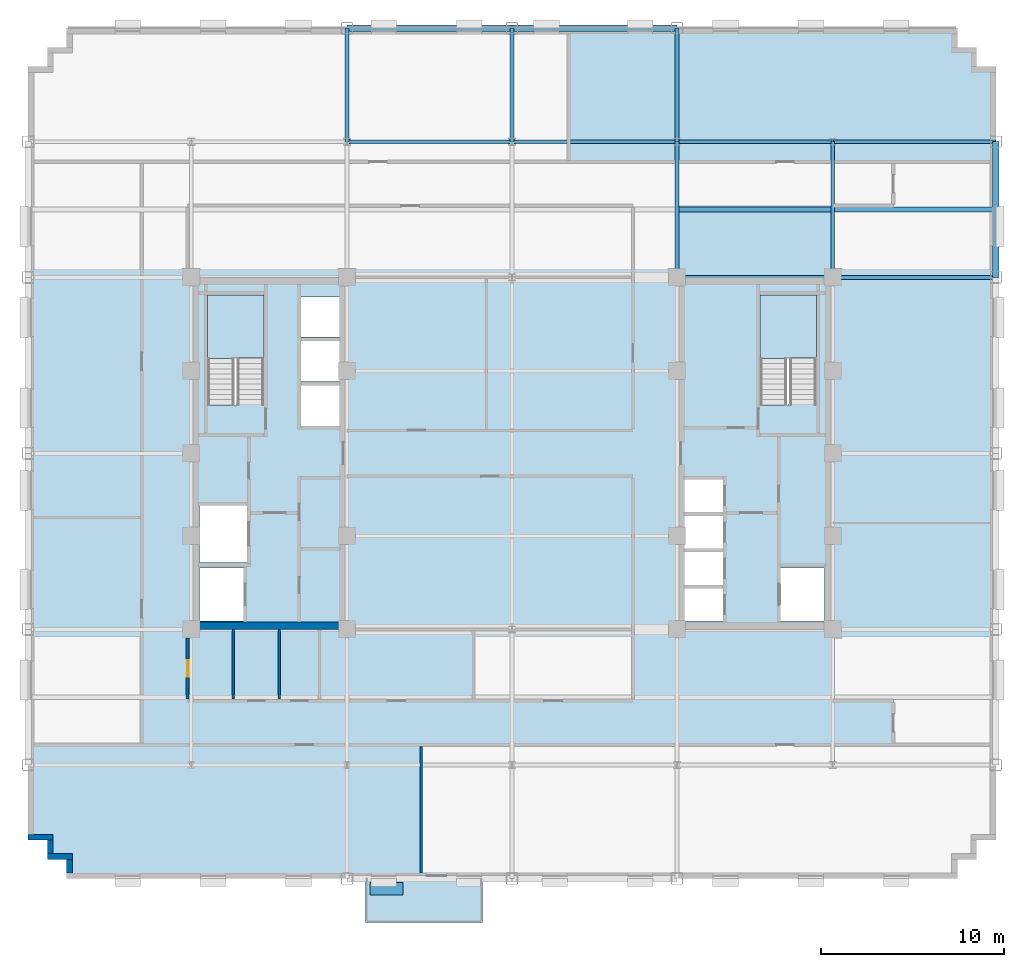
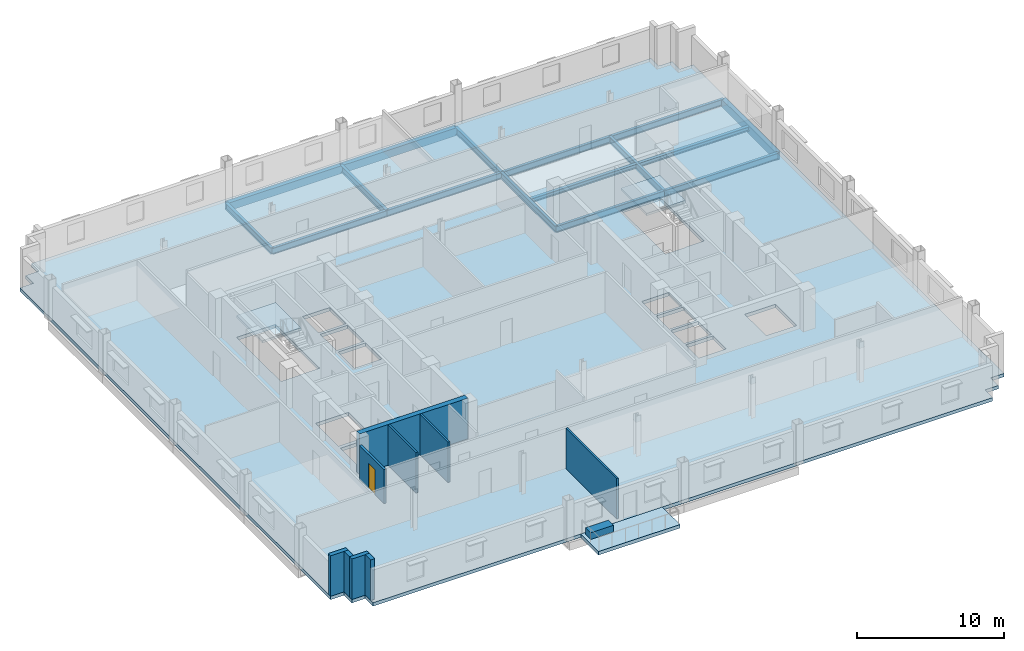
# One storey, part 5 of 14: 16 beams, 9 walls, 4 slabs, 1 door, 1 plate, 1 opening, 2 elements without a shape of their own.
"""IFC4 building model written with IfcOpenShell, lengths in metres."""

from ifc_helpers import new_model, si_unit, direction, frame, frame_2d, origin, origin_2d, place, context, subcontext, project, spatial, polyline, rectangle, i_section, outline, extrude, source, transform, mapped, material, layer, layer_set, material_profile, profile_set, type_object, type_shapes, element, fill, aggregate, save


model = new_model("IFC4")

# Units and contexts
model_context = context("Model", 3, precision=1e-05, world=origin(), true_north=direction((0.0, 1.0)))
body_context = subcontext(model_context, "Body", "Model", "MODEL_VIEW")
ifc_project = project(units=[si_unit("LENGTHUNIT", "METRE"), si_unit("AREAUNIT", "SQUARE_METRE"), si_unit("VOLUMEUNIT", "CUBIC_METRE"), si_unit("PLANEANGLEUNIT", "RADIAN"), si_unit("MASSUNIT", "GRAM", prefix="KILO")], contexts=[model_context])

# Site, building, storey
site_placement = place(None, origin())
site = spatial("IfcSite", under=ifc_project, at=site_placement, CompositionType="ELEMENT")
building_placement = place(site_placement, origin())
building = spatial("IfcBuilding", under=site, at=building_placement, Name="Nuvemarco Arch Tower", CompositionType="ELEMENT")
storey_placement = place(building_placement, frame((0.0, 0.0, 131.14990234375)))
storey = spatial("IfcBuildingStorey", under=building, at=storey_placement, Name="L34", CompositionType="ELEMENT", Elevation=131.14990234375)

# Beams
ifc_material_1 = material(Name="Steel S355", Category="steel")
ifc_material_profile_1 = material_profile(ifc_material_1, i_section(OverallWidth=0.2109375, OverallDepth=0.5390625, WebThickness=0.01171875, FlangeThickness=0.018798828125, FilletRadius=0.01611328125, at=origin_2d()), Name="W530x109")
ifc_profile_set_1 = profile_set([ifc_material_profile_1], Name="Steel S355")
beam_type_1 = type_object("IfcBeamType", Name="BM-GIRD-530", PredefinedType="BEAM", material=ifc_profile_set_1)
for number, where, z_axis, x_axis, name in (
    (1, (-9.0, 17.0, -0.54931640625), (0.0, 1.0, 0.0), (-1.0, 0.0, 0.0), "L34 structural beam BGNS_L34_0_-9.0_+17.0"),
    (2, (0.0, 17.0, -0.54931640625), (0.0, 1.0, 0.0), (-1.0, 0.0, 0.0), "L34 structural beam BGNS_L34_0_+0.0_+17.0"),
):
    element("IfcBeam", number, at=place(storey_placement, frame(where, z_axis=z_axis, x_axis=x_axis)), inside=storey, type_object=beam_type_1, Name=name, PredefinedType="BEAM", context=body_context, shape_type="SweptSolid", body=[
        extrude(i_section(OverallWidth=0.2109375, OverallDepth=0.5390625, WebThickness=0.01171875, FlangeThickness=0.018798828125, FilletRadius=0.01611328125, at=origin_2d()), origin(), (0.0, 0.0, 1.0), 6.199951171875),
    ])
beam_1_placement = place(storey_placement, frame((9.0, 9.60009765625, -0.54931640625), z_axis=(0.0, 1.0, 0.0), x_axis=(-1.0, 0.0, 0.0)))
element("IfcBeam", 3, at=beam_1_placement, inside=storey, type_object=beam_type_1, Name="L34 structural beam BGNS_L34_0_+9.0_+9.6", PredefinedType="BEAM", context=body_context, shape_type="SweptSolid", body=[
    extrude(i_section(OverallWidth=0.2109375, OverallDepth=0.5390625, WebThickness=0.01171875, FlangeThickness=0.018798828125, FilletRadius=0.01611328125, at=origin_2d()), origin(), (0.0, 0.0, 1.0), 7.39990234375),
])
beam_2_placement = place(storey_placement, frame((9.0, 17.0, -0.54931640625), z_axis=(0.0, 1.0, 0.0), x_axis=(-1.0, 0.0, 0.0)))
element("IfcBeam", 4, at=beam_2_placement, inside=storey, type_object=beam_type_1, Name="L34 structural beam BGNS_L34_0_+9.0_+17.0", PredefinedType="BEAM", context=body_context, shape_type="SweptSolid", body=[
    extrude(i_section(OverallWidth=0.2109375, OverallDepth=0.5390625, WebThickness=0.01171875, FlangeThickness=0.018798828125, FilletRadius=0.01611328125, at=origin_2d()), origin(), (0.0, 0.0, 1.0), 6.199951171875),
])
beam_3_placement = place(storey_placement, frame((17.5, 9.60009765625, -0.54931640625), z_axis=(0.0, 1.0, 0.0), x_axis=(-1.0, 0.0, 0.0)))
element("IfcBeam", 5, at=beam_3_placement, inside=storey, type_object=beam_type_1, Name="L34 structural beam BGNS_L34_0_+17.5_+9.6", PredefinedType="BEAM", context=body_context, shape_type="SweptSolid", body=[
    extrude(i_section(OverallWidth=0.2109375, OverallDepth=0.5390625, WebThickness=0.01171875, FlangeThickness=0.018798828125, FilletRadius=0.01611328125, at=origin_2d()), origin(), (0.0, 0.0, 1.0), 7.39990234375),
])
beam_4_placement = place(storey_placement, frame((9.0, 9.60009765625, -0.54931640625), z_axis=(1.0, 0.0, 0.0), x_axis=(0.0, 1.0, 0.0)))
element("IfcBeam", 6, at=beam_4_placement, inside=storey, type_object=beam_type_1, Name="L34 structural beam BGEW_L34_0_+9.6_+9.0", PredefinedType="BEAM", context=body_context, shape_type="SweptSolid", body=[
    extrude(i_section(OverallWidth=0.2109375, OverallDepth=0.5390625, WebThickness=0.01171875, FlangeThickness=0.018798828125, FilletRadius=0.01611328125, at=origin_2d()), origin(), (0.0, 0.0, 1.0), 8.5),
])
beam_5_placement = place(storey_placement, frame((17.5, 9.60009765625, -0.54931640625), z_axis=(1.0, 0.0, 0.0), x_axis=(0.0, 1.0, 0.0)))
element("IfcBeam", 7, at=beam_5_placement, inside=storey, type_object=beam_type_1, Name="L34 structural beam BGEW_L34_0_+9.6_+17.5", PredefinedType="BEAM", context=body_context, shape_type="SweptSolid", body=[
    extrude(i_section(OverallWidth=0.2109375, OverallDepth=0.5390625, WebThickness=0.01171875, FlangeThickness=0.018798828125, FilletRadius=0.01611328125, at=origin_2d()), origin(), (0.0, 0.0, 1.0), 8.89990234375),
])
for number, where, z_axis, x_axis, name in (
    (8, (-9.0, 17.0, -0.54931640625), (1.0, 0.0, 0.0), (0.0, 1.0, 0.0), "L34 structural beam BGEW_L34_0_+17.0_-9.0"),
    (9, (0.0, 17.0, -0.54931640625), (1.0, 0.0, 0.0), (0.0, 1.0, 0.0), "L34 structural beam BGEW_L34_0_+17.0_+0.0"),
):
    element("IfcBeam", number, at=place(storey_placement, frame(where, z_axis=z_axis, x_axis=x_axis)), inside=storey, type_object=beam_type_1, Name=name, PredefinedType="BEAM", context=body_context, shape_type="SweptSolid", body=[
        extrude(i_section(OverallWidth=0.2109375, OverallDepth=0.5390625, WebThickness=0.01171875, FlangeThickness=0.018798828125, FilletRadius=0.01611328125, at=origin_2d()), origin(), (0.0, 0.0, 1.0), 9.0),
    ])
beam_6_placement = place(storey_placement, frame((9.0, 17.0, -0.54931640625), z_axis=(1.0, 0.0, 0.0), x_axis=(0.0, 1.0, 0.0)))
element("IfcBeam", 10, at=beam_6_placement, inside=storey, type_object=beam_type_1, Name="L34 structural beam BGEW_L34_0_+17.0_+9.0", PredefinedType="BEAM", context=body_context, shape_type="SweptSolid", body=[
    extrude(i_section(OverallWidth=0.2109375, OverallDepth=0.5390625, WebThickness=0.01171875, FlangeThickness=0.018798828125, FilletRadius=0.01611328125, at=origin_2d()), origin(), (0.0, 0.0, 1.0), 8.5),
])
beam_7_placement = place(storey_placement, frame((17.5, 17.0, -0.54931640625), z_axis=(1.0, 0.0, 0.0), x_axis=(0.0, 1.0, 0.0)))
element("IfcBeam", 11, at=beam_7_placement, inside=storey, type_object=beam_type_1, Name="L34 structural beam BGEW_L34_0_+17.0_+17.5", PredefinedType="BEAM", context=body_context, shape_type="SweptSolid", body=[
    extrude(i_section(OverallWidth=0.2109375, OverallDepth=0.5390625, WebThickness=0.01171875, FlangeThickness=0.018798828125, FilletRadius=0.01611328125, at=origin_2d()), origin(), (0.0, 0.0, 1.0), 8.89990234375),
])
ifc_material_profile_2 = material_profile(ifc_material_1, i_section(OverallWidth=0.2548828125, OverallDepth=0.35693359375, WebThickness=0.010498046875, FlangeThickness=0.018310546875, FilletRadius=0.014892578125, at=origin_2d()), Name="W360x101")
ifc_profile_set_2 = profile_set([ifc_material_profile_2], Name="Steel S355")
beam_type_2 = type_object("IfcBeamType", Name="BM-JOIST-360H", PredefinedType="JOIST", material=ifc_profile_set_2)
beam_8_placement = place(storey_placement, frame((9.10546875, 13.300048828125, -0.45849609375), z_axis=(1.0, 0.0, 0.0), x_axis=(0.0, 1.0, 0.0)))
element("IfcBeam", 12, at=beam_8_placement, inside=storey, type_object=beam_type_2, Name="L34 structural beam BJ_L34_0_+13.3_+9.0", PredefinedType="JOIST", context=body_context, shape_type="SweptSolid", body=[
    extrude(i_section(OverallWidth=0.2548828125, OverallDepth=0.35693359375, WebThickness=0.010498046875, FlangeThickness=0.018310546875, FilletRadius=0.014892578125, at=origin_2d()), origin(), (0.0, 0.0, 1.0), 8.2890625),
])
beam_9_placement = place(storey_placement, frame((17.60546875, 13.300048828125, -0.45849609375), z_axis=(1.0, 0.0, 0.0), x_axis=(0.0, 1.0, 0.0)))
element("IfcBeam", 13, at=beam_9_placement, inside=storey, type_object=beam_type_2, Name="L34 structural beam BJ_L34_0_+13.3_+17.5", PredefinedType="JOIST", context=body_context, shape_type="SweptSolid", body=[
    extrude(i_section(OverallWidth=0.2548828125, OverallDepth=0.35693359375, WebThickness=0.010498046875, FlangeThickness=0.018310546875, FilletRadius=0.014892578125, at=origin_2d()), origin(), (0.0, 0.0, 1.0), 8.61962890625),
])
ifc_material_2 = material(Name="Precast concrete C45/55", Category="concrete")
ifc_material_profile_3 = material_profile(ifc_material_2, rectangle(XDim=0.35009765625, YDim=0.64990234375, at=origin_2d()), Name="PC-SP-350x650")
ifc_profile_set_3 = profile_set([ifc_material_profile_3], Name="Precast concrete C45/55")
beam_type_3 = type_object("IfcBeamType", Name="BM-SPAN-RC", PredefinedType="SPANDREL", material=ifc_profile_set_3)
beam_10_placement = place(storey_placement, frame((26.39990234375, 9.60009765625, -0.60498046875), z_axis=(0.0, 1.0, 0.0), x_axis=(-1.0, 0.0, 0.0)))
element("IfcBeam", 14, at=beam_10_placement, inside=storey, type_object=beam_type_3, Name="L34 structural beam BGNS_L34_0_+26.4_+9.6", PredefinedType="SPANDREL", context=body_context, shape_type="SweptSolid", body=[
    extrude(rectangle(XDim=0.35009765625, YDim=0.64990234375, at=origin_2d()), origin(), (0.0, 0.0, 1.0), 7.39990234375),
])
for number, where, z_axis, x_axis, name in (
    (15, (-9.0, 23.199951171875, -0.60498046875), (1.0, 0.0, 0.0), (0.0, 1.0, 0.0), "L34 structural beam BGEW_L34_0_+23.2_-9.0"),
    (16, (0.0, 23.199951171875, -0.60498046875), (1.0, 0.0, 0.0), (0.0, 1.0, 0.0), "L34 structural beam BGEW_L34_0_+23.2_+0.0"),
):
    element("IfcBeam", number, at=place(storey_placement, frame(where, z_axis=z_axis, x_axis=x_axis)), inside=storey, type_object=beam_type_3, Name=name, PredefinedType="SPANDREL", context=body_context, shape_type="SweptSolid", body=[
        extrude(rectangle(XDim=0.35009765625, YDim=0.64990234375, at=origin_2d()), origin(), (0.0, 0.0, 1.0), 9.0),
    ])

# Slab
ifc_material_3 = material(Name="Concrete C50/60", Category="concrete")
ifc_layer_1 = layer(ifc_material_3, 0.280029296875, Name="SL-FLR-280")
ifc_layer_set_1 = layer_set([ifc_layer_1], Name="Concrete C50/60")
slab_type_1 = type_object("IfcSlabType", Name="SL-FLR-280", PredefinedType="FLOOR", material=ifc_layer_set_1)
slab_1_placement = place(storey_placement, frame((0.0, 0.0, -0.27978515625)))
element("IfcSlab", 17, at=slab_1_placement, inside=storey, type_object=slab_type_1, Name="L34 structural floor slab", PredefinedType="FLOOR", context=body_context, shape_type="SweptSolid", body=[
    extrude(outline(polyline([(-24.300048828125, -23.199951171875), (24.300048828125, -23.199951171875), (24.300048828125, -22.14990234375), (25.35009765625, -22.14990234375), (25.35009765625, -21.10009765625), (26.39990234375, -21.10009765625), (26.39990234375, 21.10009765625), (25.35009765625, 21.10009765625), (25.35009765625, 22.14990234375), (24.300048828125, 22.14990234375), (24.300048828125, 23.199951171875), (-24.300048828125, 23.199951171875), (-24.300048828125, 22.14990234375), (-25.35009765625, 22.14990234375), (-25.35009765625, 21.10009765625), (-26.39990234375, 21.10009765625), (-26.39990234375, -21.10009765625), (-25.35009765625, -21.10009765625), (-25.35009765625, -22.14990234375), (-24.300048828125, -22.14990234375), (-24.300048828125, -23.199951171875)]), holes=[polyline([(-13.5400390625, 2.669921875), (-13.5400390625, 8.64990234375), (-16.60009765625, 8.64990234375), (-16.60009765625, 2.630615234375), (-15.070068359375, 2.630615234375), (-15.070068359375, 2.669921875), (-13.5400390625, 2.669921875)]), polyline([(16.60009765625, 2.669921875), (16.60009765625, 8.64990234375), (13.5400390625, 8.64990234375), (13.5400390625, 2.630615234375), (15.070068359375, 2.630615234375), (15.070068359375, 2.669921875), (16.60009765625, 2.669921875)]), polyline([(-17.050048828125, -9.14990234375), (-14.64990234375, -9.14990234375), (-14.64990234375, -6.25), (-17.050048828125, -6.25), (-17.050048828125, -9.14990234375)]), polyline([(-17.050048828125, -5.949951171875), (-14.449951171875, -5.949951171875), (-14.449951171875, -2.85009765625), (-17.050048828125, -2.85009765625), (-17.050048828125, -5.949951171875)]), polyline([(-11.5, 1.5), (-9.35009765625, 1.5), (-9.35009765625, 3.699951171875), (-11.5, 3.699951171875), (-11.5, 1.5)]), polyline([(-11.5, 3.919921875), (-9.35009765625, 3.919921875), (-9.35009765625, 6.1201171875), (-11.5, 6.1201171875), (-11.5, 3.919921875)]), polyline([(-11.5, 6.340087890625), (-9.35009765625, 6.340087890625), (-9.35009765625, 8.5400390625), (-11.5, 8.5400390625), (-11.5, 6.340087890625)]), polyline([(14.64990234375, -9.14990234375), (17.050048828125, -9.14990234375), (17.050048828125, -6.25), (14.64990234375, -6.25), (14.64990234375, -9.14990234375)]), polyline([(9.35009765625, -9.14990234375), (11.5, -9.14990234375), (11.5, -7.3701171875), (9.35009765625, -7.3701171875), (9.35009765625, -9.14990234375)]), polyline([(9.35009765625, -7.169921875), (11.5, -7.169921875), (11.5, -5.389892578125), (9.35009765625, -5.389892578125), (9.35009765625, -7.169921875)]), polyline([(9.35009765625, -5.18994140625), (11.5, -5.18994140625), (11.5, -3.409912109375), (9.35009765625, -3.409912109375), (9.35009765625, -5.18994140625)]), polyline([(9.35009765625, -3.2099609375), (11.5, -3.2099609375), (11.5, -1.429931640625), (9.35009765625, -1.429931640625), (9.35009765625, -3.2099609375)])]), origin(), (0.0, 0.0, 1.0), 0.27978515625),
])

# Stair, slab
stair_type = type_object("IfcStairType", Name="ST-CORE-20R", PredefinedType="HALF_TURN_STAIR", material=ifc_material_2)
stair_1_placement = place(storey_placement, origin())
stair_1 = element("IfcStair", 18, at=stair_1_placement, inside=storey, type_object=stair_type, Name="L34 Protected Exit Stair ST-1", PredefinedType="HALF_TURN_STAIR")
ifc_layer_2 = layer(ifc_material_2, 0.199951171875, Name="SL-LANDING-200")
ifc_layer_set_2 = layer_set([ifc_layer_2], Name="Precast concrete C45/55")
slab_type_2 = type_object("IfcSlabType", Name="SL-LANDING-200", PredefinedType="LANDING", material=ifc_layer_set_2)
slab_2_placement = place(storey_placement, frame((0.0, 0.0, 1.625)))
slab_2 = element("IfcSlab", 19, at=slab_2_placement, type_object=slab_type_2, Name="ST-20R landing 1", PredefinedType="LANDING", context=body_context, shape_type="SweptSolid", body=[
    extrude(outline(polyline([(-13.5400390625, 5.189453125), (-13.5400390625, 8.64990234375), (-16.60009765625, 8.64990234375), (-16.60009765625, 5.169921875), (-15.070068359375, 5.169921875), (-15.070068359375, 5.189453125), (-13.5400390625, 5.189453125)])), origin(), (0.0, 0.0, 1.0), 0.2001953125),
])
aggregate(stair_1, [slab_2])

stair_2_placement = place(storey_placement, origin())
stair_2 = element("IfcStair", 20, at=stair_2_placement, inside=storey, type_object=stair_type, Name="L34 Protected Exit Stair ST-2", PredefinedType="HALF_TURN_STAIR")
slab_3_placement = place(storey_placement, frame((0.0, 0.0, 1.625)))
slab_3 = element("IfcSlab", 21, at=slab_3_placement, type_object=slab_type_2, Name="ST-20R landing 1", PredefinedType="LANDING", context=body_context, shape_type="SweptSolid", body=[
    extrude(outline(polyline([(16.60009765625, 5.189453125), (16.60009765625, 8.64990234375), (13.5400390625, 8.64990234375), (13.5400390625, 5.169921875), (15.070068359375, 5.169921875), (15.070068359375, 5.189453125), (16.60009765625, 5.189453125)])), origin(), (0.0, 0.0, 1.0), 0.2001953125),
])
aggregate(stair_2, [slab_3])

# Slab
ifc_layer_3 = layer(ifc_material_3, 0.294921875, Name="SL-TR4")
ifc_layer_set_3 = layer_set([ifc_layer_3], Name="Concrete C50/60")
slab_type_3 = type_object("IfcSlabType", Name="SL-TR4", PredefinedType="FLOOR", material=ifc_layer_set_3)
slab_4_placement = place(storey_placement, frame((0.0, 0.0, -0.294921875)))
element("IfcSlab", 22, at=slab_4_placement, inside=storey, type_object=slab_type_3, Name="L34 outdoor spiral terrace slab 1", PredefinedType="FLOOR", context=body_context, shape_type="SweptSolid", body=[
    extrude(outline(polyline([(-8.0, -25.60009765625), (-1.60009765625, -25.60009765625), (-1.60009765625, -23.199951171875), (-8.0, -23.199951171875), (-8.0, -25.60009765625)])), origin(), (0.0, 0.0, 1.0), 0.294921875),
])

# Plate
ifc_layer_4 = layer(ifc_material_2, 0.550048828125, Name="Tree Balcony Structural Planter")
ifc_layer_set_4 = layer_set([ifc_layer_4], Name="Precast concrete C45/55")
plate_type = type_object("IfcPlateType", Name="Tree Balcony Structural Planter", PredefinedType="USERDEFINED", material=ifc_layer_set_4)
shared_shape_1 = source(origin(), body_context, "Body", "SweptSolid", [
    extrude(rectangle(XDim=1.800048828125, YDim=0.699951171875, at=origin_2d()), origin(), (0.0, 0.0, 1.0), 0.550048828125),
])
type_shapes(plate_type, [shared_shape_1])
plate_placement = place(storey_placement, frame((-6.85009765625, -23.75, 0.0), z_axis=(0.0, 0.0, 1.0), x_axis=(1.0, 0.0, 0.0)))
element("IfcPlate", 23, at=plate_placement, inside=storey, type_object=plate_type, Name="L34 Tree Balcony Structural Planter", ObjectType="PLANTER", PredefinedType="USERDEFINED", context=body_context, shape_type="MappedRepresentation", body=[
    mapped(shared_shape_1, transform((0.0, 0.0, 0.0), scale=1.0)),
])

# Walls
ifc_layer_5 = layer(ifc_material_2, 0.320068359375, Name="EW-MID-320")
ifc_layer_set_5 = layer_set([ifc_layer_5], Name="Precast concrete C45/55")
wall_type_1 = type_object("IfcWallType", Name="EW-MID-320", PredefinedType="STANDARD", material=ifc_layer_set_5)
wall_1_placement = place(storey_placement, frame((-26.39990234375, -20.93994140625, 0.0), z_axis=(0.0, 0.0, 1.0), x_axis=(1.0, 0.0, 0.0)))
element("IfcWall", 24, at=wall_1_placement, inside=storey, type_object=wall_type_1, Name="L34 exterior precast facade wall 17", PredefinedType="STANDARD", context=body_context, shape_type="SweptSolid", body=[
    extrude(rectangle(XDim=1.369873046875, YDim=0.320068359375, at=frame_2d((0.68505859375, 0.0))), origin(), (0.0, 0.0, 1.0), 3.360107421875),
])
wall_2_placement = place(storey_placement, frame((-25.18994140625, -21.833984375, 0.0), z_axis=(0.0, 0.0, 1.0), x_axis=(0.0, 1.0, 0.0)))
element("IfcWall", 25, at=wall_2_placement, inside=storey, type_object=wall_type_1, Name="L34 exterior precast facade wall 18", PredefinedType="STANDARD", context=body_context, shape_type="SweptSolid", body=[
    extrude(rectangle(XDim=0.738037109375, YDim=0.320068359375, at=frame_2d((0.369140625, 0.0))), origin(), (0.0, 0.0, 1.0), 3.360107421875),
])
wall_3_placement = place(storey_placement, frame((-25.35009765625, -21.989990234375, 0.0), z_axis=(0.0, 0.0, 1.0), x_axis=(1.0, 0.0, 0.0)))
element("IfcWall", 26, at=wall_3_placement, inside=storey, type_object=wall_type_1, Name="L34 exterior precast facade wall 19", PredefinedType="STANDARD", context=body_context, shape_type="SweptSolid", body=[
    extrude(rectangle(XDim=1.3701171875, YDim=0.320068359375, at=frame_2d((0.68505859375, 0.0))), origin(), (0.0, 0.0, 1.0), 3.360107421875),
])
wall_4_placement = place(storey_placement, frame((-24.139892578125, -22.884033203125, 0.0), z_axis=(0.0, 0.0, 1.0), x_axis=(0.0, 1.0, 0.0)))
element("IfcWall", 27, at=wall_4_placement, inside=storey, type_object=wall_type_1, Name="L34 exterior precast facade wall 20", PredefinedType="STANDARD", context=body_context, shape_type="SweptSolid", body=[
    extrude(rectangle(XDim=0.738037109375, YDim=0.320068359375, at=frame_2d((0.369140625, 0.0))), origin(), (0.0, 0.0, 1.0), 3.360107421875),
])
ifc_material_4 = material(Name="Concrete C60/75", Category="concrete")
ifc_layer_6 = layer(ifc_material_4, 0.39990234375, Name="WL-CORE-400")
ifc_layer_set_6 = layer_set([ifc_layer_6], Name="Concrete C60/75")
wall_type_2 = type_object("IfcWallType", Name="WL-CORE-400", PredefinedType="SHEAR", material=ifc_layer_set_6)
wall_5_placement = place(storey_placement, frame((-17.5, -9.39990234375, 0.0), z_axis=(0.0, 0.0, 1.0), x_axis=(1.0, 0.0, 0.0)))
element("IfcWall", 28, at=wall_5_placement, inside=storey, type_object=wall_type_2, Name="L34 W-core shear wall S", PredefinedType="SHEAR", context=body_context, shape_type="SweptSolid", body=[
    extrude(rectangle(XDim=8.5, YDim=0.39990234375, at=frame_2d((4.25, 0.0))), origin(), (0.0, 0.0, 1.0), 3.3701171875),
])

# Wall, opening, door
ifc_material_5 = material(Name="Fire-rated gypsum drywall partition")
ifc_layer_7 = layer(ifc_material_5, 0.179931640625, Name="WL-CORR-180")
ifc_layer_set_7 = layer_set([ifc_layer_7], Name="Fire-rated gypsum drywall partition")
wall_type_3 = type_object("IfcWallType", Name="WL-CORR-180", PredefinedType="PARTITIONING", material=ifc_layer_set_7)
wall_6_placement = place(storey_placement, frame((-17.699951171875, -13.4140625, 0.0), z_axis=(0.0, 0.0, 1.0), x_axis=(0.0, 1.0, 0.0)))
wall_6 = element("IfcWall", 29, at=wall_6_placement, inside=storey, type_object=wall_type_3, Name="L34 interior wall IW-L34-016", PredefinedType="PARTITIONING", context=body_context, shape_type="SweptSolid", body=[
    extrude(rectangle(XDim=3.343017578125, YDim=0.179931640625, at=frame_2d((1.67138671875, 0.0))), origin(), (0.0, 0.0, 1.0), 2.816162109375),
])
opening_placement = place(wall_6_placement, frame((1.221435546875, 0.0, 0.0)))
opening = element("IfcOpeningElement", 30, at=opening_placement, cuts=wall_6, Name="Opening ID-3", PredefinedType="OPENING", context=body_context, shape_type="SweptSolid", body=[
    extrude(rectangle(XDim=0.89990234375, YDim=2.10009765625, at=frame_2d((0.449951171875, 1.050048828125))), frame((0.0, 0.099853515625, 0.0), z_axis=(0.0, -1.0, 0.0), x_axis=(1.0, 0.0, 0.0)), (0.0, 0.0, 1.0), 0.199951171875),
])
ifc_material_6 = material(Name="Veneered oak timber fire door", Category="wood")
door_type = type_object("IfcDoorType", Name="DR-WC-ACC", OperationType="NOTDEFINED", PredefinedType="DOOR", material=ifc_material_6)
shared_shape_2 = source(origin(), body_context, "Body", "SweptSolid", [
    extrude(rectangle(XDim=0.89990234375, YDim=2.10009765625, at=frame_2d((0.449951171875, 1.050048828125))), frame((0.0, 0.02490234375, 0.0), z_axis=(0.0, -1.0, 0.0), x_axis=(1.0, 0.0, 0.0)), (0.0, 0.0, 1.0), 0.050048828125),
])
type_shapes(door_type, [shared_shape_2])
door_placement = place(opening_placement, origin())
door = element("IfcDoor", 31, at=door_placement, inside=storey, type_object=door_type, Name="L34 door DR-L34-WC_M", OperationType="SINGLE_SWING_RIGHT", OverallHeight=2.10009765625, OverallWidth=0.89990234375, PredefinedType="DOOR", context=body_context, shape_type="MappedRepresentation", body=[
    mapped(shared_shape_2, transform((0.0, 0.0, 0.0), scale=1.0)),
])
fill(opening, door)

# Walls
ifc_material_7 = material(Name="Gypsum plasterboard partition")
ifc_layer_8 = layer(ifc_material_7, 0.139892578125, Name="WL-ROOM-140")
ifc_layer_set_8 = layer_set([ifc_layer_8], Name="Gypsum plasterboard partition")
wall_type_4 = type_object("IfcWallType", Name="WL-ROOM-140", PredefinedType="PARTITIONING", material=ifc_layer_set_8)
wall_7_placement = place(storey_placement, frame((-4.93994140625, -22.8798828125, 0.0), z_axis=(0.0, 0.0, 1.0), x_axis=(0.0, 1.0, 0.0)))
element("IfcWall", 32, at=wall_7_placement, inside=storey, type_object=wall_type_4, Name="L34 interior wall IW-L34-021", PredefinedType="PARTITIONING", context=body_context, shape_type="SweptSolid", body=[
    extrude(rectangle(XDim=6.893798828125, YDim=0.139892578125, at=frame_2d((3.44677734375, 0.0))), origin(), (0.0, 0.0, 1.0), 3.360107421875),
])
ifc_material_8 = material(Name="Moisture-resistant gypsum partition")
ifc_layer_9 = layer(ifc_material_8, 0.14990234375, Name="WL-WET-150")
ifc_layer_set_9 = layer_set([ifc_layer_9], Name="Moisture-resistant gypsum partition")
wall_type_5 = type_object("IfcWallType", Name="WL-WET-150", PredefinedType="PARTITIONING", material=ifc_layer_set_9)
for number, where, z_axis, x_axis, name in (
    (33, (-15.199951171875, -13.4140625, 0.0), (0.0, 0.0, 1.0), (0.0, 1.0, 0.0), "L34 interior wall IW-L34-018"),
    (34, (-12.699951171875, -13.4140625, 0.0), (0.0, 0.0, 1.0), (0.0, 1.0, 0.0), "L34 interior wall IW-L34-019"),
):
    element("IfcWall", number, at=place(storey_placement, frame(where, z_axis=z_axis, x_axis=x_axis)), inside=storey, type_object=wall_type_5, Name=name, PredefinedType="PARTITIONING", context=body_context, shape_type="SweptSolid", body=[
        extrude(rectangle(XDim=3.81396484375, YDim=0.14990234375, at=frame_2d((1.906982421875, 0.0))), origin(), (0.0, 0.0, 1.0), 3.360107421875),
    ])

save(model, "model.ifc")
